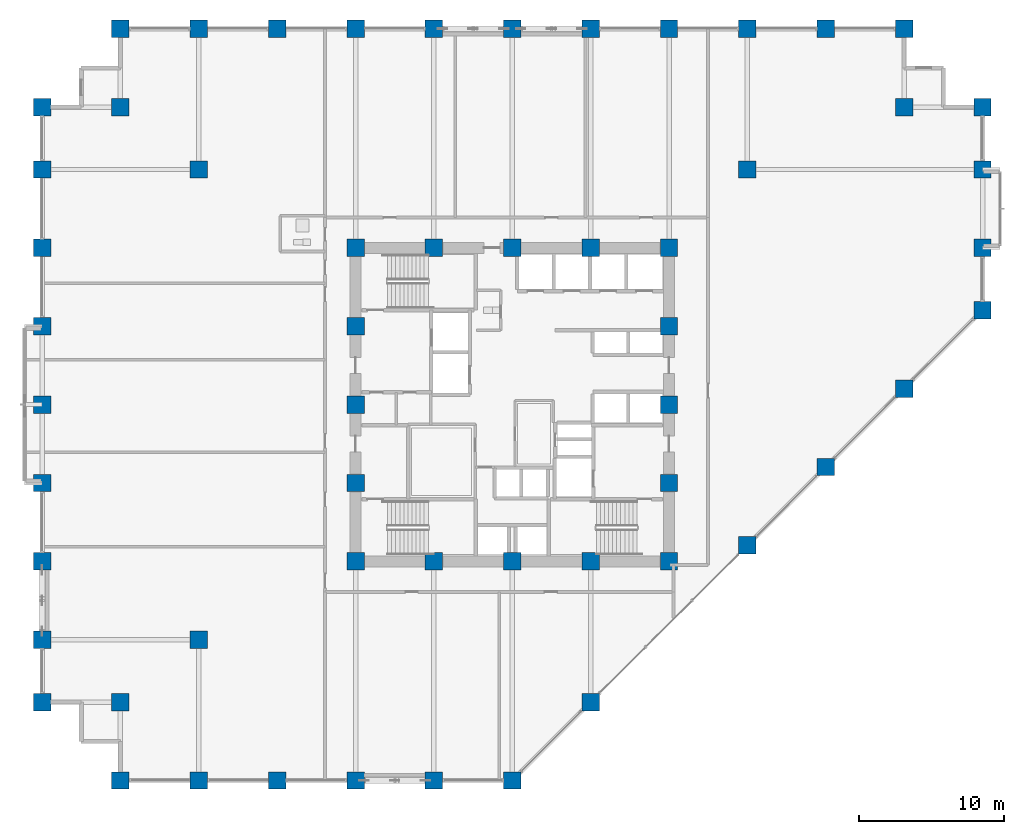
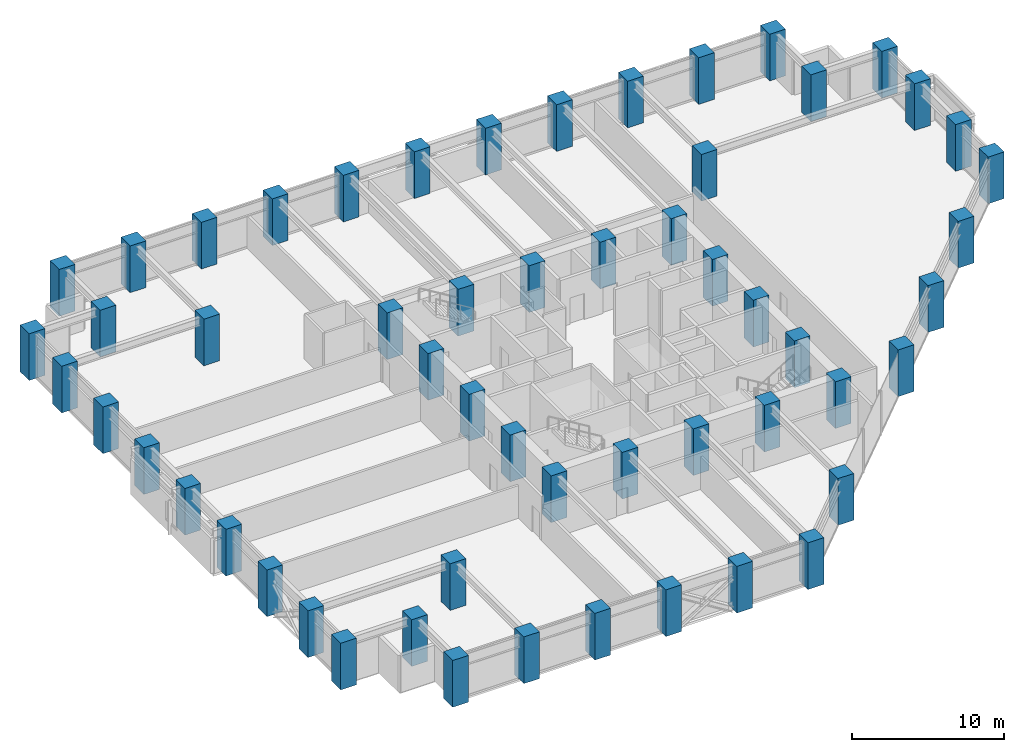
# One storey, part 1 of 27: 56 columns.
"""IFC4 building model written with IfcOpenShell, lengths in metres."""

from ifc_helpers import new_model, si_unit, direction, frame, origin, origin_2d, place, context, subcontext, project, spatial, rectangle, extrude, material, material_profile, profile_set, type_object, element, save


model = new_model("IFC4")

# Units and contexts
model_context = context("Model", 3, precision=1e-05, world=origin(), true_north=direction((0.0, 1.0)))
body_context = subcontext(model_context, "Body", "Model", "MODEL_VIEW")
ifc_project = project(units=[si_unit("LENGTHUNIT", "METRE"), si_unit("AREAUNIT", "SQUARE_METRE"), si_unit("VOLUMEUNIT", "CUBIC_METRE"), si_unit("PLANEANGLEUNIT", "RADIAN"), si_unit("MASSUNIT", "GRAM", prefix="KILO")], contexts=[model_context])

# Site, building, storey
site_placement = place(None, origin())
site = spatial("IfcSite", under=ifc_project, at=site_placement, CompositionType="ELEMENT")
building_placement = place(site_placement, origin())
building = spatial("IfcBuilding", under=site, at=building_placement, Name="Surkhivell Harbour Commons", CompositionType="ELEMENT")
storey_placement = place(building_placement, frame((0.0, 0.0, 56.25)))
storey = spatial("IfcBuildingStorey", under=building, at=storey_placement, Name="L14", CompositionType="ELEMENT", Elevation=56.25)

# Columns
ifc_material = material(Name="Concrete C80/95", Category="concrete")
ifc_material_profile = material_profile(ifc_material, rectangle(XDim=1.199951171875, YDim=1.199951171875, at=origin_2d()), Name="RC-COL-1200x1200")
ifc_profile_set = profile_set([ifc_material_profile], Name="Concrete C80/95")
column_type = type_object("IfcColumnType", Name="COL-TUBE-Z1B", PredefinedType="COLUMN", material=ifc_profile_set)
for number, where, z_axis, x_axis, name in (
    (1, (-32.39990234375, -20.5, 0.0), (0.0, 0.0, 1.0), (1.0, 0.0, 0.0), "L14 Column CT-1B (-32.4,-20.5)"),
    (2, (-32.39990234375, -16.199951171875, 0.0), (0.0, 0.0, 1.0), (1.0, 0.0, 0.0), "L14 Column CT-1B (-32.4,-16.2)"),
    (3, (-32.39990234375, -10.800048828125, 0.0), (0.0, 0.0, 1.0), (1.0, 0.0, 0.0), "L14 Column CT-1B (-32.4,-10.8)"),
    (4, (-32.39990234375, -5.39990234375, 0.0), (0.0, 0.0, 1.0), (1.0, 0.0, 0.0), "L14 Column CT-1B (-32.4,-5.4)"),
    (5, (-32.39990234375, 0.0, 0.0), (0.0, 0.0, 1.0), (1.0, 0.0, 0.0), "L14 Column CT-1B (-32.4,0.0)"),
    (6, (-32.39990234375, 5.39990234375, 0.0), (0.0, 0.0, 1.0), (1.0, 0.0, 0.0), "L14 Column CT-1B (-32.4,5.4)"),
    (7, (-32.39990234375, 10.800048828125, 0.0), (0.0, 0.0, 1.0), (1.0, 0.0, 0.0), "L14 Column CT-1B (-32.4,10.8)"),
    (8, (-32.39990234375, 16.199951171875, 0.0), (0.0, 0.0, 1.0), (1.0, 0.0, 0.0), "L14 Column CT-1B (-32.4,16.2)"),
    (9, (-32.39990234375, 20.5, 0.0), (0.0, 0.0, 1.0), (1.0, 0.0, 0.0), "L14 Column CT-1B (-32.4,20.5)"),
    (10, (-27.0, -25.89990234375, 0.0), (0.0, 0.0, 1.0), (1.0, 0.0, 0.0), "L14 Column CT-1B (-27.0,-25.9)"),
    (11, (-27.0, -20.5, 0.0), (0.0, 0.0, 1.0), (1.0, 0.0, 0.0), "L14 Column CT-1B (-27.0,-20.5)"),
    (12, (-27.0, 20.5, 0.0), (0.0, 0.0, 1.0), (1.0, 0.0, 0.0), "L14 Column CT-1B (-27.0,20.5)"),
    (13, (-27.0, 25.89990234375, 0.0), (0.0, 0.0, 1.0), (1.0, 0.0, 0.0), "L14 Column CT-1B (-27.0,25.9)"),
    (14, (-21.60009765625, -25.89990234375, 0.0), (0.0, 0.0, 1.0), (1.0, 0.0, 0.0), "L14 Column CT-1B (-21.6,-25.9)"),
    (15, (-21.60009765625, -16.199951171875, 0.0), (0.0, 0.0, 1.0), (1.0, 0.0, 0.0), "L14 Column CT-1B (-21.6,-16.2)"),
    (16, (-21.60009765625, 16.199951171875, 0.0), (0.0, 0.0, 1.0), (1.0, 0.0, 0.0), "L14 Column CT-1B (-21.6,16.2)"),
    (17, (-21.60009765625, 25.89990234375, 0.0), (0.0, 0.0, 1.0), (1.0, 0.0, 0.0), "L14 Column CT-1B (-21.6,25.9)"),
    (18, (-16.199951171875, -25.89990234375, 0.0), (0.0, 0.0, 1.0), (1.0, 0.0, 0.0), "L14 Column CT-1B (-16.2,-25.9)"),
    (19, (-16.199951171875, 25.89990234375, 0.0), (0.0, 0.0, 1.0), (1.0, 0.0, 0.0), "L14 Column CT-1B (-16.2,25.9)"),
    (20, (-10.800048828125, -25.89990234375, 0.0), (0.0, 0.0, 1.0), (1.0, 0.0, 0.0), "L14 Column CT-1B (-10.8,-25.9)"),
    (21, (-10.800048828125, -10.800048828125, 0.0), (0.0, 0.0, 1.0), (1.0, 0.0, 0.0), "L14 Column CT-1B (-10.8,-10.8)"),
    (22, (-10.800048828125, -5.39990234375, 0.0), (0.0, 0.0, 1.0), (1.0, 0.0, 0.0), "L14 Column CT-1B (-10.8,-5.4)"),
    (23, (-10.800048828125, 0.0, 0.0), (0.0, 0.0, 1.0), (1.0, 0.0, 0.0), "L14 Column CT-1B (-10.8,0.0)"),
    (24, (-10.800048828125, 5.39990234375, 0.0), (0.0, 0.0, 1.0), (1.0, 0.0, 0.0), "L14 Column CT-1B (-10.8,5.4)"),
    (25, (-10.800048828125, 10.800048828125, 0.0), (0.0, 0.0, 1.0), (1.0, 0.0, 0.0), "L14 Column CT-1B (-10.8,10.8)"),
    (26, (-10.800048828125, 25.89990234375, 0.0), (0.0, 0.0, 1.0), (1.0, 0.0, 0.0), "L14 Column CT-1B (-10.8,25.9)"),
    (27, (-5.39990234375, -25.89990234375, 0.0), (0.0, 0.0, 1.0), (1.0, 0.0, 0.0), "L14 Column CT-1B (-5.4,-25.9)"),
    (28, (-5.39990234375, -10.800048828125, 0.0), (0.0, 0.0, 1.0), (1.0, 0.0, 0.0), "L14 Column CT-1B (-5.4,-10.8)"),
    (29, (-5.39990234375, 10.800048828125, 0.0), (0.0, 0.0, 1.0), (1.0, 0.0, 0.0), "L14 Column CT-1B (-5.4,10.8)"),
    (30, (-5.39990234375, 25.89990234375, 0.0), (0.0, 0.0, 1.0), (1.0, 0.0, 0.0), "L14 Column CT-1B (-5.4,25.9)"),
    (31, (0.0, -25.89990234375, 0.0), (0.0, 0.0, 1.0), (1.0, 0.0, 0.0), "L14 Column CT-1B (-0.0,-25.9)"),
    (32, (0.0, -10.800048828125, 0.0), (0.0, 0.0, 1.0), (1.0, 0.0, 0.0), "L14 Column CT-1B (0.0,-10.8)"),
    (33, (0.0, 10.800048828125, 0.0), (0.0, 0.0, 1.0), (1.0, 0.0, 0.0), "L14 Column CT-1B (0.0,10.8)"),
    (34, (0.0, 25.89990234375, 0.0), (0.0, 0.0, 1.0), (1.0, 0.0, 0.0), "L14 Column CT-1B (-0.0,25.9)"),
    (35, (5.39990234375, -20.5, 0.0), (0.0, 0.0, 1.0), (1.0, 0.0, 0.0), "L14 Column CT-1B (5.4,-20.5)"),
    (36, (5.39990234375, -10.800048828125, 0.0), (0.0, 0.0, 1.0), (1.0, 0.0, 0.0), "L14 Column CT-1B (5.4,-10.8)"),
    (37, (5.39990234375, 10.800048828125, 0.0), (0.0, 0.0, 1.0), (1.0, 0.0, 0.0), "L14 Column CT-1B (5.4,10.8)"),
    (38, (5.39990234375, 25.89990234375, 0.0), (0.0, 0.0, 1.0), (1.0, 0.0, 0.0), "L14 Column CT-1B (5.4,25.9)"),
    (39, (10.800048828125, -10.800048828125, 0.0), (0.0, 0.0, 1.0), (1.0, 0.0, 0.0), "L14 Column CT-1B (10.8,-10.8)"),
    (40, (10.800048828125, -5.39990234375, 0.0), (0.0, 0.0, 1.0), (1.0, 0.0, 0.0), "L14 Column CT-1B (10.8,-5.4)"),
    (41, (10.800048828125, 0.0, 0.0), (0.0, 0.0, 1.0), (1.0, 0.0, 0.0), "L14 Column CT-1B (10.8,0.0)"),
    (42, (10.800048828125, 5.39990234375, 0.0), (0.0, 0.0, 1.0), (1.0, 0.0, 0.0), "L14 Column CT-1B (10.8,5.4)"),
    (43, (10.800048828125, 10.800048828125, 0.0), (0.0, 0.0, 1.0), (1.0, 0.0, 0.0), "L14 Column CT-1B (10.8,10.8)"),
    (44, (10.800048828125, 25.89990234375, 0.0), (0.0, 0.0, 1.0), (1.0, 0.0, 0.0), "L14 Column CT-1B (10.8,25.9)"),
    (45, (16.199951171875, -9.699951171875, 0.0), (0.0, 0.0, 1.0), (1.0, 0.0, 0.0), "L14 Column CT-1B (16.2,-9.7)"),
    (46, (16.199951171875, 16.199951171875, 0.0), (0.0, 0.0, 1.0), (1.0, 0.0, 0.0), "L14 Column CT-1B (16.2,16.2)"),
    (47, (16.199951171875, 25.89990234375, 0.0), (0.0, 0.0, 1.0), (1.0, 0.0, 0.0), "L14 Column CT-1B (16.2,25.9)"),
    (48, (21.60009765625, -4.300048828125, 0.0), (0.0, 0.0, 1.0), (1.0, 0.0, 0.0), "L14 Column CT-1B (21.6,-4.3)"),
    (49, (21.60009765625, 25.89990234375, 0.0), (0.0, 0.0, 1.0), (1.0, 0.0, 0.0), "L14 Column CT-1B (21.6,25.9)"),
    (50, (27.0, 1.10009765625, 0.0), (0.0, 0.0, 1.0), (1.0, 0.0, 0.0), "L14 Column CT-1B (27.0,1.1)"),
    (51, (27.0, 20.5, 0.0), (0.0, 0.0, 1.0), (1.0, 0.0, 0.0), "L14 Column CT-1B (27.0,20.5)"),
    (52, (27.0, 25.89990234375, 0.0), (0.0, 0.0, 1.0), (1.0, 0.0, 0.0), "L14 Column CT-1B (27.0,25.9)"),
    (53, (32.39990234375, 6.5, 0.0), (0.0, 0.0, 1.0), (1.0, 0.0, 0.0), "L14 Column CT-1B (32.4,6.5)"),
    (54, (32.39990234375, 10.800048828125, 0.0), (0.0, 0.0, 1.0), (1.0, 0.0, 0.0), "L14 Column CT-1B (32.4,10.8)"),
    (55, (32.39990234375, 16.199951171875, 0.0), (0.0, 0.0, 1.0), (1.0, 0.0, 0.0), "L14 Column CT-1B (32.4,16.2)"),
    (56, (32.39990234375, 20.5, 0.0), (0.0, 0.0, 1.0), (1.0, 0.0, 0.0), "L14 Column CT-1B (32.4,20.5)"),
):
    element("IfcColumn", number, at=place(storey_placement, frame(where, z_axis=z_axis, x_axis=x_axis)), inside=storey, type_object=column_type, Name=name, PredefinedType="COLUMN", context=body_context, shape_type="SweptSolid", body=[
        extrude(rectangle(XDim=1.199951171875, YDim=1.199951171875, at=origin_2d()), origin(), (0.0, 0.0, 1.0), 3.75),
    ])

save(model, "model.ifc")
